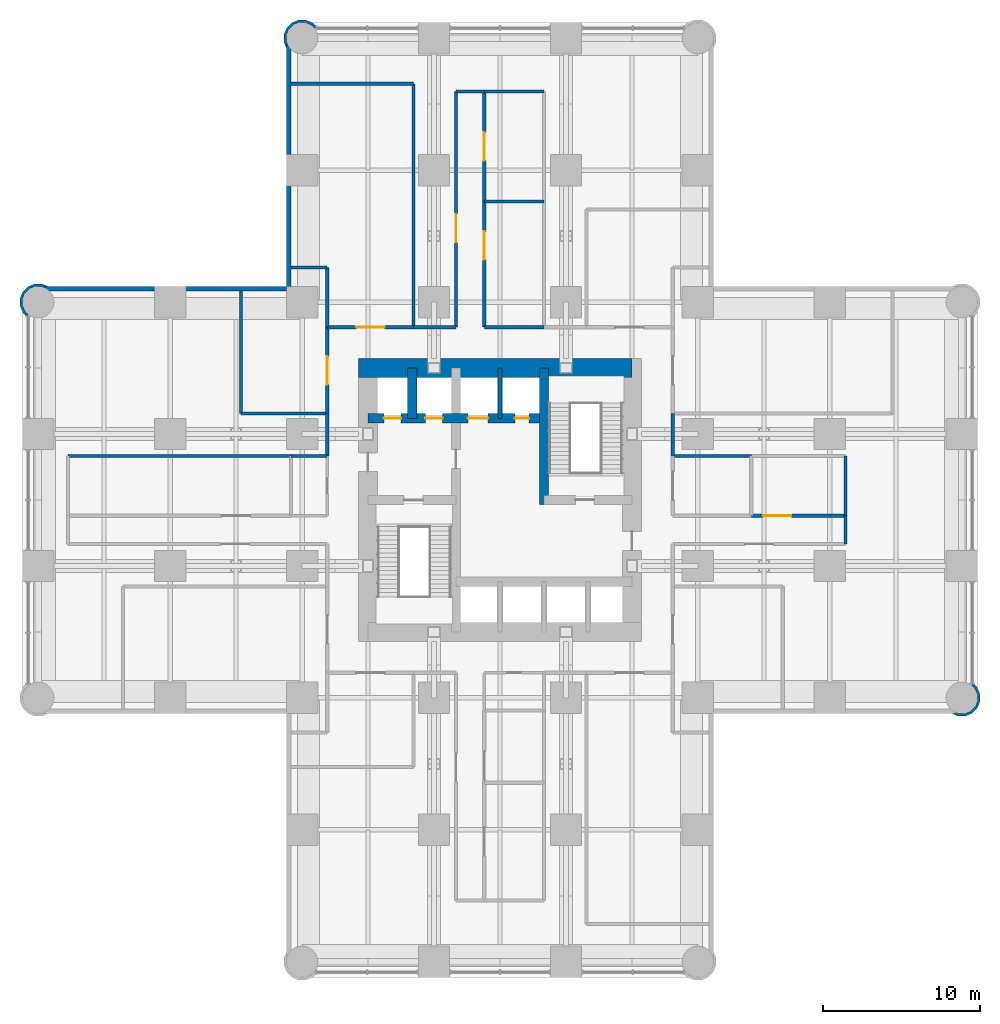
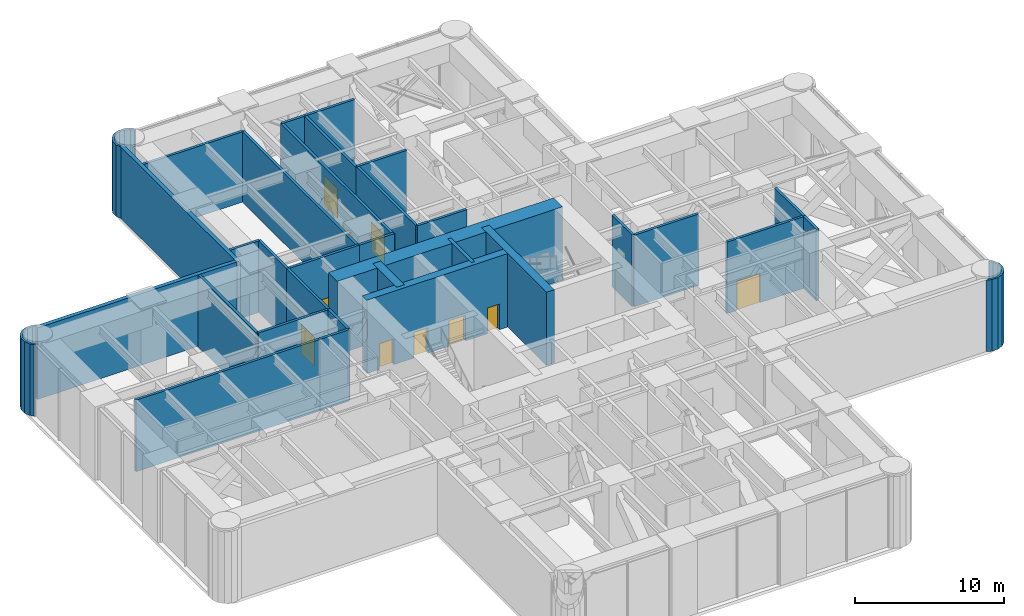
# One storey, part 9 of 12: 34 walls, 10 doors, 10 openings.
"""IFC4 building model written with IfcOpenShell, lengths in metres."""

import ifcopenshell
import ifcopenshell.guid

model = None  # the IFC model being written
_history = None  # IfcOwnerHistory: only IFC2X3 demands one
_inside = {}  # id of a spatial element -> (the spatial element, [elements in it])
_under = {}  # id of a project, library or spatial element -> (it, [spatial elements below it])
_declared = {}  # id of a project -> (the project, [libraries it declares])
_typed = {}  # id of a type object -> (the type object, [elements of that type])
_made_of = {}  # id of a material, layer set ... -> (it, [elements and type objects made of it])


def new_model(schema):
    """Start an empty IFC model of exactly this schema.

    Asked for "IFC4X3", IfcOpenShell would pick the latest addendum, in which some entities
    have other attributes; the version numbers below select the first issue.
    IFC2X3 requires an IfcOwnerHistory on every rooted entity: one is made here for all.
    """
    global model, _history
    if schema == "IFC4X3":
        model = ifcopenshell.file(schema_version=(4, 3, 0, 0))
    else:
        model = ifcopenshell.file(schema=schema)
    _inside.clear()
    _under.clear()
    _declared.clear()
    _typed.clear()
    _made_of.clear()
    _history = None
    if model.schema == "IFC2X3":
        org = make("IfcOrganization", Name="unknown")
        user = make(
            "IfcPersonAndOrganization",
            ThePerson=make("IfcPerson", FamilyName="unknown"),
            TheOrganization=org,
        )
        app = make(
            "IfcApplication",
            ApplicationDeveloper=org,
            Version="unknown",
            ApplicationFullName="unknown",
            ApplicationIdentifier="unknown",
        )
        _history = make(
            "IfcOwnerHistory",
            OwningUser=user,
            OwningApplication=app,
            ChangeAction="ADDED",
            CreationDate=0,
        )
    return model


def make(cls, **values):
    """One entity of the class cls with the attributes given. An attribute that is None is left unset."""
    return model.create_entity(
        cls, **{name: value for name, value in values.items() if value is not None}
    )


def rooted(cls, **values):
    """An entity with a GlobalId (a new one), such as an element, a storey or a relation."""
    return make(cls, GlobalId=ifcopenshell.guid.new(), OwnerHistory=_history, **values)


def si_unit(unit_type, name, prefix=None):
    """IfcSIUnit, for example si_unit("LENGTHUNIT", "METRE", prefix="MILLI")."""
    return make("IfcSIUnit", UnitType=unit_type, Prefix=prefix, Name=name)


def assignment(units):
    """IfcUnitAssignment: the units of a project."""
    return None if units is None else make("IfcUnitAssignment", Units=units)


def point(xyz):
    """IfcCartesianPoint."""
    return None if xyz is None else make("IfcCartesianPoint", Coordinates=xyz)


def direction(xyz):
    """IfcDirection."""
    return None if xyz is None else make("IfcDirection", DirectionRatios=xyz)


def frame(location, z_axis=None, x_axis=None):
    """IfcAxis2Placement3D, a coordinate frame: its origin and axes. An axis left out is left unset."""
    return make(
        "IfcAxis2Placement3D",
        Location=point(location),
        Axis=direction(z_axis),
        RefDirection=direction(x_axis),
    )


def frame_2d(location, x_axis=None):
    """IfcAxis2Placement2D, a coordinate frame in the plane: its origin and x axis."""
    return make(
        "IfcAxis2Placement2D", Location=point(location), RefDirection=direction(x_axis)
    )


def origin():
    """The frame at (0, 0, 0) with its axes left unset."""
    return frame((0.0, 0.0, 0.0))


def place(relative_to, where):
    """IfcLocalPlacement: puts the frame where relative to a parent placement (None: the world)."""
    return make(
        "IfcLocalPlacement", PlacementRelTo=relative_to, RelativePlacement=where
    )


def context(
    kind, dimensions, precision=None, world=None, true_north=None, identifier=None
):
    """IfcGeometricRepresentationContext, for example the 3D "Model" context."""
    return make(
        "IfcGeometricRepresentationContext",
        ContextIdentifier=identifier,
        ContextType=kind,
        CoordinateSpaceDimension=dimensions,
        Precision=precision,
        WorldCoordinateSystem=world,
        TrueNorth=true_north,
    )


def subcontext(parent, identifier, kind, view, scale=None):
    """IfcGeometricRepresentationSubContext, for example "Body" below "Model"."""
    return make(
        "IfcGeometricRepresentationSubContext",
        ContextIdentifier=identifier,
        ContextType=kind,
        ParentContext=parent,
        TargetScale=scale,
        TargetView=view,
    )


def project(units=None, contexts=None):
    """IfcProject with its units and contexts."""
    return rooted(
        "IfcProject",
        Name="project",
        RepresentationContexts=contexts,
        UnitsInContext=assignment(units),
    )


def spatial(cls, under=None, at=None, **own):
    """A site, building, storey or space (cls), placed at a placement, below another one or the project."""
    s = rooted(cls, ObjectPlacement=at, **own)
    if under is not None:
        _under.setdefault(under.id(), (under, []))[1].append(s)
    return s


def polyline(points):
    """IfcPolyline through the points."""
    return make("IfcPolyline", Points=[point(p) for p in points])


def profile(cls, at=None, kind="AREA", **sizes):
    """A parametric profile (cls). Its sizes go by their IFC names, for example OverallWidth=200.0."""
    return make(cls, ProfileType=kind, Position=at, **sizes)


def rectangle(**sizes):
    """IfcRectangleProfileDef."""
    return profile("IfcRectangleProfileDef", **sizes)


def outline(outer, holes=None, kind="AREA"):
    """IfcArbitraryClosedProfileDef: a profile drawn as a closed curve; with holes, ...WithVoids."""
    if holes is None:
        return make("IfcArbitraryClosedProfileDef", ProfileType=kind, OuterCurve=outer)
    return make(
        "IfcArbitraryProfileDefWithVoids",
        ProfileType=kind,
        OuterCurve=outer,
        InnerCurves=holes,
    )


def extrude(swept, where, along, depth):
    """IfcExtrudedAreaSolid: the profile swept, set in the frame where, extruded along a direction by depth."""
    return make(
        "IfcExtrudedAreaSolid",
        SweptArea=swept,
        Position=where,
        ExtrudedDirection=direction(along),
        Depth=depth,
    )


def shape(context_of_items, identifier, shape_type, items):
    """IfcShapeRepresentation: the items that make up one representation, for example the "Body"."""
    return make(
        "IfcShapeRepresentation",
        ContextOfItems=context_of_items,
        RepresentationIdentifier=identifier,
        RepresentationType=shape_type,
        Items=items,
    )


def material(Name=None, Category=None):
    """IfcMaterial."""
    return make("IfcMaterial", Name=Name, Category=Category)


def layer(
    of_material, thickness, ventilated=None, Name=None, Category=None, Priority=None
):
    """IfcMaterialLayer: one layer of a wall or slab, of a material (None: an air gap)."""
    return make(
        "IfcMaterialLayer",
        Material=of_material,
        LayerThickness=thickness,
        IsVentilated=ventilated,
        Name=Name,
        Category=Category,
        Priority=Priority,
    )


def layer_set(layers, Name=None):
    """IfcMaterialLayerSet."""
    return make("IfcMaterialLayerSet", MaterialLayers=layers, LayerSetName=Name)


def made_of(thing, what):
    """Note that an element or type object is made of a material, layer set ...; save() writes the relation."""
    if what is not None:
        _made_of.setdefault(what.id(), (what, []))[1].append(thing)
    return thing


def type_object(cls, material=None, **own):
    """A type object (cls), such as IfcWallType, which elements share."""
    return made_of(rooted(cls, **own), material)


def element(
    cls,
    number,
    at=None,
    inside=None,
    cuts=None,
    type_object=None,
    material=None,
    context=None,
    identifier="Body",
    shape_type=None,
    held_by="IfcProductDefinitionShape",
    body=None,
    shapes=None,
    **own,
):
    """One element of the class cls, such as IfcWall. Its Tag is "e" and its number.

    at: its placement. inside: the storey or other place that contains it. cuts: it is an
    opening in that element (IfcRelVoidsElement). A single representation is given by context,
    identifier, shape_type and body (its items); several are given by shapes. held_by: the class
    of the entity that holds the representations. save() writes the other relations.
    """
    e = rooted(cls, Tag="e%d" % number, ObjectPlacement=at, **own)
    if body is not None:
        shapes = [shape(context, identifier, shape_type, body)]
    if shapes is not None:
        e.Representation = make(held_by, Representations=shapes)
    if inside is not None:
        _inside.setdefault(inside.id(), (inside, []))[1].append(e)
    if cuts is not None:
        rooted(
            "IfcRelVoidsElement", RelatingBuildingElement=cuts, RelatedOpeningElement=e
        )
    if type_object is not None:
        _typed.setdefault(type_object.id(), (type_object, []))[1].append(e)
    return made_of(e, material)


def fill(opening, filler):
    """IfcRelFillsElement: the door or window that sits in an opening."""
    return rooted(
        "IfcRelFillsElement",
        RelatingOpeningElement=opening,
        RelatedBuildingElement=filler,
    )


def aggregate(whole, parts):
    """IfcRelAggregates: a whole, such as a stair, and the parts it consists of."""
    return rooted("IfcRelAggregates", RelatingObject=whole, RelatedObjects=parts)


def save(model, path):
    """Write the relations noted so far, then the file.

    IfcRelAggregates (storeys below a building ...), IfcRelContainedInSpatialStructure (elements
    in a storey), IfcRelDefinesByType, IfcRelAssociatesMaterial and IfcRelDeclares: one each for
    every whole, place, type object, material and project.
    """
    for whole, parts in _under.values():
        aggregate(whole, parts)
    for where, things in _inside.values():
        rooted(
            "IfcRelContainedInSpatialStructure",
            RelatedElements=things,
            RelatingStructure=where,
        )
    for kind, things in _typed.values():
        rooted("IfcRelDefinesByType", RelatedObjects=things, RelatingType=kind)
    for what, things in _made_of.values():
        rooted("IfcRelAssociatesMaterial", RelatedObjects=things, RelatingMaterial=what)
    for by, libraries in _declared.values():
        rooted("IfcRelDeclares", RelatingContext=by, RelatedDefinitions=libraries)
    model.write(path)


model = new_model("IFC4")

# Units and contexts
model_context = context("Model", 3, precision=1e-05, world=origin(), true_north=direction((0.0, 1.0)))
body_context = subcontext(model_context, "Body", "Model", "MODEL_VIEW")
ifc_project = project(units=[si_unit("LENGTHUNIT", "METRE"), si_unit("AREAUNIT", "SQUARE_METRE"), si_unit("VOLUMEUNIT", "CUBIC_METRE"), si_unit("PLANEANGLEUNIT", "RADIAN"), si_unit("MASSUNIT", "GRAM", prefix="KILO")], contexts=[model_context])

# Site, building, storey
site_placement = place(None, origin())
site = spatial("IfcSite", under=ifc_project, at=site_placement, CompositionType="ELEMENT")
building_placement = place(site_placement, origin())
building = spatial("IfcBuilding", under=site, at=building_placement, Name="Torre Alcanfor", CompositionType="ELEMENT")
storey_placement = place(building_placement, frame((0.0, 0.0, 102.89990234375)))
storey = spatial("IfcBuildingStorey", under=building, at=storey_placement, Name="L26", CompositionType="ELEMENT", Elevation=102.89990234375)

# Wall, openings, doors
ifc_material_1 = material(Name="Concrete f'c 70 MPa", Category="concrete")
ifc_layer_1 = layer(ifc_material_1, 0.60009765625)
ifc_layer_set_1 = layer_set([ifc_layer_1], Name="Core inner wall 600 f'c70")
wall_type_1 = type_object("IfcWallType", Name="Core inner wall 600 f'c70", PredefinedType="SHEAR", material=ifc_layer_set_1)
wall_1_placement = place(storey_placement, frame((21.0, 34.60009765625, 0.0), z_axis=(0.0, 0.0, 1.0), x_axis=(1.0, 0.0, 0.0)))
wall_1 = element("IfcWall", 1, at=wall_1_placement, inside=storey, type_object=wall_type_1, Name="Core wall Y346 L26", PredefinedType="SHEAR", context=body_context, shape_type="SweptSolid", body=[
    extrude(rectangle(XDim=11.199951171875, YDim=0.60009765625, at=frame_2d((5.60009765625, 0.0))), origin(), (0.0, 0.0, 1.0), 6.0),
])
opening_1_placement = place(wall_1_placement, frame((9.35009765625, 0.0, 0.0)))
opening_1 = element("IfcOpeningElement", 2, at=opening_1_placement, cuts=wall_1, Name="Opening D-Q1", PredefinedType="OPENING", context=body_context, shape_type="SweptSolid", body=[
    extrude(rectangle(XDim=0.89990234375, YDim=2.10009765625, at=frame_2d((0.449951171875, 1.050048828125))), frame((0.0, 0.31005859375, 0.0), z_axis=(0.0, -1.0, 0.0), x_axis=(1.0, 0.0, 0.0)), (0.0, 0.0, 1.0), 0.6201171875),
])
opening_2_placement = place(wall_1_placement, frame((1.0, 0.0, 0.0)))
opening_2 = element("IfcOpeningElement", 3, at=opening_2_placement, cuts=wall_1, Name="Opening LD2", PredefinedType="OPENING", context=body_context, shape_type="SweptSolid", body=[
    extrude(rectangle(XDim=1.10009765625, YDim=2.10009765625, at=frame_2d((0.550048828125, 1.050048828125))), frame((0.0, 0.31005859375, 0.0), z_axis=(0.0, -1.0, 0.0), x_axis=(1.0, 0.0, 0.0)), (0.0, 0.0, 1.0), 0.6201171875),
])
opening_3_placement = place(wall_1_placement, frame((3.64990234375, 0.0, 0.0)))
opening_3 = element("IfcOpeningElement", 4, at=opening_3_placement, cuts=wall_1, Name="Opening LD2", PredefinedType="OPENING", context=body_context, shape_type="SweptSolid", body=[
    extrude(rectangle(XDim=1.10009765625, YDim=2.10009765625, at=frame_2d((0.550048828125, 1.050048828125))), frame((0.0, 0.31005859375, 0.0), z_axis=(0.0, -1.0, 0.0), x_axis=(1.0, 0.0, 0.0)), (0.0, 0.0, 1.0), 0.6201171875),
])
opening_4_placement = place(wall_1_placement, frame((6.35009765625, 0.0, 0.0)))
opening_4 = element("IfcOpeningElement", 5, at=opening_4_placement, cuts=wall_1, Name="Opening LD3", PredefinedType="OPENING", context=body_context, shape_type="SweptSolid", body=[
    extrude(rectangle(XDim=1.300048828125, YDim=2.10009765625, at=frame_2d((0.64990234375, 1.050048828125))), frame((0.0, 0.31005859375, 0.0), z_axis=(0.0, -1.0, 0.0), x_axis=(1.0, 0.0, 0.0)), (0.0, 0.0, 1.0), 0.6201171875),
])
ifc_material_2 = material(Name="Galvanised steel sheet ASTM A653", Category="steel")
door_type_1 = type_object("IfcDoorType", Name="Firefighting lift landing door 1100x2100", OperationType="DOUBLE_DOOR_SLIDING", PredefinedType="DOOR", material=ifc_material_2)
door_1_placement = place(opening_2_placement, origin())
door_1 = element("IfcDoor", 6, at=door_1_placement, inside=storey, type_object=door_type_1, Name="Lift landing door FL1 L26", OperationType="DOUBLE_DOOR_SLIDING", OverallHeight=2.10009765625, OverallWidth=1.10009765625, PredefinedType="DOOR", context=body_context, shape_type="SweptSolid", body=[
    extrude(rectangle(XDim=1.10009765625, YDim=2.10009765625, at=frame_2d((0.550048828125, 1.050048828125))), frame((0.0, 0.02490234375, 0.0), z_axis=(0.0, -1.0, 0.0), x_axis=(1.0, 0.0, 0.0)), (0.0, 0.0, 1.0), 0.050048828125),
])
fill(opening_2, door_1)
door_2_placement = place(opening_3_placement, origin())
door_2 = element("IfcDoor", 7, at=door_2_placement, inside=storey, type_object=door_type_1, Name="Lift landing door FL2 L26", OperationType="DOUBLE_DOOR_SLIDING", OverallHeight=2.10009765625, OverallWidth=1.10009765625, PredefinedType="DOOR", context=body_context, shape_type="SweptSolid", body=[
    extrude(rectangle(XDim=1.10009765625, YDim=2.10009765625, at=frame_2d((0.550048828125, 1.050048828125))), frame((0.0, 0.02490234375, 0.0), z_axis=(0.0, -1.0, 0.0), x_axis=(1.0, 0.0, 0.0)), (0.0, 0.0, 1.0), 0.050048828125),
])
fill(opening_3, door_2)
ifc_material_3 = material(Name="Galvanised steel sheet ASTM A653", Category="steel")
door_type_2 = type_object("IfcDoorType", Name="Riser access door FD120 900x2100", OperationType="SINGLE_SWING_LEFT", PredefinedType="DOOR", material=ifc_material_3)
door_3_placement = place(opening_1_placement, origin())
door_3 = element("IfcDoor", 8, at=door_3_placement, inside=storey, type_object=door_type_2, Name="Riser door L26", OperationType="SINGLE_SWING_LEFT", OverallHeight=2.10009765625, OverallWidth=0.89990234375, PredefinedType="DOOR", context=body_context, shape_type="SweptSolid", body=[
    extrude(rectangle(XDim=0.89990234375, YDim=2.10009765625, at=frame_2d((0.449951171875, 1.050048828125))), frame((0.0, 0.02490234375, 0.0), z_axis=(0.0, -1.0, 0.0), x_axis=(1.0, 0.0, 0.0)), (0.0, 0.0, 1.0), 0.050048828125),
])
fill(opening_1, door_3)
ifc_material_4 = material(Name="Galvanised steel sheet ASTM A653", Category="steel")
door_type_3 = type_object("IfcDoorType", Name="Service lift landing door 1300x2100", OperationType="DOUBLE_DOOR_SLIDING", PredefinedType="DOOR", material=ifc_material_4)
door_4_placement = place(opening_4_placement, origin())
door_4 = element("IfcDoor", 9, at=door_4_placement, inside=storey, type_object=door_type_3, Name="Lift landing door SL1 L26", OperationType="DOUBLE_DOOR_SLIDING", OverallHeight=2.10009765625, OverallWidth=1.300048828125, PredefinedType="DOOR", context=body_context, shape_type="SweptSolid", body=[
    extrude(rectangle(XDim=1.300048828125, YDim=2.10009765625, at=frame_2d((0.64990234375, 1.050048828125))), frame((0.0, 0.02490234375, 0.0), z_axis=(0.0, -1.0, 0.0), x_axis=(1.0, 0.0, 0.0)), (0.0, 0.0, 1.0), 0.050048828125),
])
fill(opening_4, door_4)

# Walls
wall_2_placement = place(storey_placement, frame((23.800048828125, 34.60009765625, 0.0), z_axis=(0.0, 0.0, 1.0), x_axis=(0.0, 1.0, 0.0)))
element("IfcWall", 10, at=wall_2_placement, inside=storey, type_object=wall_type_1, Name="Core wall X238 L26", PredefinedType="SHEAR", context=body_context, shape_type="SweptSolid", body=[
    extrude(rectangle(XDim=3.199951171875, YDim=0.60009765625, at=frame_2d((1.60009765625, 0.0))), origin(), (0.0, 0.0, 1.0), 6.0),
])
wall_3_placement = place(storey_placement, frame((32.199951171875, 29.10009765625, 0.0), z_axis=(0.0, 0.0, 1.0), x_axis=(0.0, 1.0, 0.0)))
element("IfcWall", 11, at=wall_3_placement, inside=storey, type_object=wall_type_1, Name="Core wall X322N L26", PredefinedType="SHEAR", context=body_context, shape_type="SweptSolid", body=[
    extrude(rectangle(XDim=8.699951171875, YDim=0.60009765625, at=frame_2d((4.35009765625, 0.0))), origin(), (0.0, 0.0, 1.0), 6.0),
])
ifc_material_5 = material(Name="Concrete f'c 70 MPa", Category="concrete")
ifc_layer_2 = layer(ifc_material_5, 0.25)
ifc_layer_set_2 = layer_set([ifc_layer_2], Name="Core shaft wall 250 f'c70")
wall_type_2 = type_object("IfcWallType", Name="Core shaft wall 250 f'c70", PredefinedType="SHEAR", material=ifc_layer_set_2)
wall_4_placement = place(storey_placement, frame((29.39990234375, 34.60009765625, 0.0), z_axis=(0.0, 0.0, 1.0), x_axis=(0.0, 1.0, 0.0)))
element("IfcWall", 12, at=wall_4_placement, inside=storey, type_object=wall_type_2, Name="Core wall X294N L26", PredefinedType="SHEAR", context=body_context, shape_type="SweptSolid", body=[
    extrude(rectangle(XDim=3.199951171875, YDim=0.25, at=frame_2d((1.60009765625, 0.0))), origin(), (0.0, 0.0, 1.0), 6.0),
])
ifc_material_6 = material(Name="Concrete f'c 70 MPa", Category="concrete")
ifc_layer_3 = layer(ifc_material_6, 1.199951171875)
ifc_layer_set_3 = layer_set([ifc_layer_3], Name="Core wall 1200 f'c70")
wall_type_3 = type_object("IfcWallType", Name="Core wall 1200 f'c70", PredefinedType="SHEAR", material=ifc_layer_set_3)
wall_5_placement = place(storey_placement, frame((37.800048828125, 37.800048828125, 0.0), z_axis=(0.0, 0.0, 1.0), x_axis=(-1.0, 0.0, 0.0)))
element("IfcWall", 13, at=wall_5_placement, inside=storey, type_object=wall_type_3, Name="Core wall OUT-N L26", PredefinedType="SHEAR", context=body_context, shape_type="SweptSolid", body=[
    extrude(rectangle(XDim=17.400146484375, YDim=1.199951171875, at=frame_2d((8.7001953125, 0.0))), origin(), (0.0, 0.0, 1.0), 6.0),
])
ifc_material_7 = material(Name="Limestone cladding", Category="masonry")
ifc_layer_4 = layer(ifc_material_7, 0.0400390625, Name="Facing")
ifc_material_8 = material(Name="Ventilated air cavity")
ifc_layer_5 = layer(ifc_material_8, 0.02001953125, ventilated=True, Name="Ventilated joint")
ifc_material_9 = material(Name="Mineral wool insulation", Category="insulation")
ifc_layer_6 = layer(ifc_material_9, 0.10009765625, Name="Insulation")
ifc_material_10 = material(Name="Concrete f'c 35 MPa", Category="concrete")
ifc_layer_7 = layer(ifc_material_10, 0.139892578125, Name="Backing")
ifc_layer_set_4 = layer_set([ifc_layer_4, ifc_layer_5, ifc_layer_6, ifc_layer_7], Name="External wall stone-clad 300")
wall_type_4 = type_object("IfcWallType", Name="External wall stone-clad 300", PredefinedType="SOLIDWALL", material=ifc_layer_set_4)
wall_6_placement = place(storey_placement, frame((15.800048828125, 42.85009765625, 0.0), z_axis=(0.0, 0.0, 1.0), x_axis=(-1.0, 0.0, 0.0)))
element("IfcWall", 14, at=wall_6_placement, inside=storey, type_object=wall_type_4, Name="External wall L26 1", PredefinedType="SOLIDWALL", context=body_context, shape_type="SweptSolid", body=[
    extrude(rectangle(XDim=15.400146484375, YDim=0.300048828125, at=frame_2d((7.7001953125, 0.0))), origin(), (0.0, 0.0, 1.0), 5.85009765625),
])
wall_7_placement = place(storey_placement, frame((15.949951171875, 58.39990234375, 0.0), z_axis=(0.0, 0.0, 1.0), x_axis=(0.0, -1.0, 0.0)))
element("IfcWall", 15, at=wall_7_placement, inside=storey, type_object=wall_type_4, Name="External wall L26 12", PredefinedType="SOLIDWALL", context=body_context, shape_type="SweptSolid", body=[
    extrude(rectangle(XDim=15.699951171875, YDim=0.300048828125, at=frame_2d((7.85009765625, 0.0))), origin(), (0.0, 0.0, 1.0), 5.85009765625),
])

# Wall, opening, door
ifc_material_11 = material(Name="Concrete block masonry, hollow blocks NMX-C-404 9 MPa", Category="masonry")
ifc_layer_8 = layer(ifc_material_11, 0.199951171875)
ifc_layer_set_5 = layer_set([ifc_layer_8], Name="Plant room wall 200 EI 60")
wall_type_5 = type_object("IfcWallType", Name="Plant room wall 200 EI 60", PredefinedType="PARTITIONING", material=ifc_layer_set_5)
wall_8_placement = place(storey_placement, frame((18.39990234375, 40.39990234375, 0.0), z_axis=(0.0, 0.0, 1.0), x_axis=(1.0, 0.0, 0.0)))
wall_8 = element("IfcWall", 16, at=wall_8_placement, inside=storey, type_object=wall_type_5, Name="Partition L26-CORR / L26-N1", PredefinedType="PARTITIONING", context=body_context, shape_type="SweptSolid", body=[
    extrude(rectangle(XDim=5.5, YDim=0.199951171875, at=frame_2d((2.75, 0.0))), origin(), (0.0, 0.0, 1.0), 5.85009765625),
])
opening_5_placement = place(wall_8_placement, frame((1.85009765625, 0.0, 0.0)))
opening_5 = element("IfcOpeningElement", 17, at=opening_5_placement, cuts=wall_8, Name="Opening D-P1", PredefinedType="OPENING", context=body_context, shape_type="SweptSolid", body=[
    extrude(rectangle(XDim=1.800048828125, YDim=2.39990234375, at=frame_2d((0.89990234375, 1.199951171875))), frame((0.0, 0.10986328125, 0.0), z_axis=(0.0, -1.0, 0.0), x_axis=(1.0, 0.0, 0.0)), (0.0, 0.0, 1.0), 0.219970703125),
])
ifc_material_12 = material(Name="Galvanised steel sheet ASTM A653", Category="steel")
door_type_4 = type_object("IfcDoorType", Name="Plant room door FD60 1800x2400", OperationType="DOUBLE_DOOR_SINGLE_SWING", PredefinedType="DOOR", material=ifc_material_12)
door_5_placement = place(opening_5_placement, origin())
door_5 = element("IfcDoor", 18, at=door_5_placement, inside=storey, type_object=door_type_4, Name="Door L26-N1 chilled water heat exchanger room", OperationType="DOUBLE_DOOR_SINGLE_SWING", OverallHeight=2.39990234375, OverallWidth=1.800048828125, PredefinedType="DOOR", context=body_context, shape_type="SweptSolid", body=[
    extrude(rectangle(XDim=1.800048828125, YDim=2.39990234375, at=frame_2d((0.89990234375, 1.199951171875))), frame((0.0, 0.02490234375, 0.0), z_axis=(0.0, -1.0, 0.0), x_axis=(1.0, 0.0, 0.0)), (0.0, 0.0, 1.0), 0.050048828125),
])
fill(opening_5, door_5)

# Walls
wall_9_placement = place(storey_placement, frame((28.39990234375, 40.39990234375, 0.0), z_axis=(0.0, 0.0, 1.0), x_axis=(1.0, 0.0, 0.0)))
element("IfcWall", 19, at=wall_9_placement, inside=storey, type_object=wall_type_5, Name="Partition L26-CORR / L26-N3", PredefinedType="PARTITIONING", context=body_context, shape_type="SweptSolid", body=[
    extrude(rectangle(XDim=3.800048828125, YDim=0.199951171875, at=frame_2d((1.89990234375, 0.0))), origin(), (0.0, 0.0, 1.0), 5.85009765625),
])
wall_10_placement = place(storey_placement, frame((23.89990234375, 40.39990234375, 0.0), z_axis=(0.0, 0.0, 1.0), x_axis=(1.0, 0.0, 0.0)))
element("IfcWall", 20, at=wall_10_placement, inside=storey, type_object=wall_type_5, Name="Partition L26-CORR / L26-NH", PredefinedType="PARTITIONING", context=body_context, shape_type="SweptSolid", body=[
    extrude(rectangle(XDim=2.7001953125, YDim=0.199951171875, at=frame_2d((1.35009765625, 0.0))), origin(), (0.0, 0.0, 1.0), 5.85009765625),
])
wall_11_placement = place(storey_placement, frame((40.39990234375, 34.89990234375, 0.0), z_axis=(0.0, 0.0, 1.0), x_axis=(0.0, -1.0, 0.0)))
element("IfcWall", 21, at=wall_11_placement, inside=storey, type_object=wall_type_5, Name="Partition L26-CORR / L26-EH", PredefinedType="PARTITIONING", context=body_context, shape_type="SweptSolid", body=[
    extrude(rectangle(XDim=2.699951171875, YDim=0.199951171875, at=frame_2d((1.35009765625, 0.0))), origin(), (0.0, 0.0, 1.0), 5.85009765625),
])

# Wall, opening, door
wall_12_placement = place(storey_placement, frame((18.39990234375, 34.89990234375, 0.0), z_axis=(0.0, 0.0, 1.0), x_axis=(0.0, 1.0, 0.0)))
wall_12 = element("IfcWall", 22, at=wall_12_placement, inside=storey, type_object=wall_type_5, Name="Partition L26-CORR / L26-W2", PredefinedType="PARTITIONING", context=body_context, shape_type="SweptSolid", body=[
    extrude(rectangle(XDim=5.5, YDim=0.199951171875, at=frame_2d((2.75, 0.0))), origin(), (0.0, 0.0, 1.0), 5.85009765625),
])
opening_6_placement = place(wall_12_placement, frame((1.85009765625, 0.0, 0.0)))
opening_6 = element("IfcOpeningElement", 23, at=opening_6_placement, cuts=wall_12, Name="Opening D-P1", PredefinedType="OPENING", context=body_context, shape_type="SweptSolid", body=[
    extrude(rectangle(XDim=1.800048828125, YDim=2.39990234375, at=frame_2d((0.89990234375, 1.199951171875))), frame((0.0, 0.10986328125, 0.0), z_axis=(0.0, -1.0, 0.0), x_axis=(1.0, 0.0, 0.0)), (0.0, 0.0, 1.0), 0.219970703125),
])
door_6_placement = place(opening_6_placement, origin())
door_6 = element("IfcDoor", 24, at=door_6_placement, inside=storey, type_object=door_type_4, Name="Door L26-W2 booster pump room", OperationType="DOUBLE_DOOR_SINGLE_SWING", OverallHeight=2.39990234375, OverallWidth=1.800048828125, PredefinedType="DOOR", context=body_context, shape_type="SweptSolid", body=[
    extrude(rectangle(XDim=1.800048828125, YDim=2.39990234375, at=frame_2d((0.89990234375, 1.199951171875))), frame((0.0, 0.02490234375, 0.0), z_axis=(0.0, -1.0, 0.0), x_axis=(1.0, 0.0, 0.0)), (0.0, 0.0, 1.0), 0.050048828125),
])
fill(opening_6, door_6)

# Walls
wall_13_placement = place(storey_placement, frame((18.39990234375, 32.199951171875, 0.0), z_axis=(0.0, 0.0, 1.0), x_axis=(0.0, 1.0, 0.0)))
element("IfcWall", 25, at=wall_13_placement, inside=storey, type_object=wall_type_5, Name="Partition L26-CORR / L26-WH", PredefinedType="PARTITIONING", context=body_context, shape_type="SweptSolid", body=[
    extrude(rectangle(XDim=2.699951171875, YDim=0.199951171875, at=frame_2d((1.35009765625, 0.0))), origin(), (0.0, 0.0, 1.0), 5.85009765625),
])
wall_14_placement = place(storey_placement, frame((16.10009765625, 55.89990234375, 0.0), z_axis=(0.0, 0.0, 1.0), x_axis=(1.0, 0.0, 0.0)))
element("IfcWall", 26, at=wall_14_placement, inside=storey, type_object=wall_type_5, Name="Partition L26-N1 / L26-NH", PredefinedType="PARTITIONING", context=body_context, shape_type="SweptSolid", body=[
    extrude(rectangle(XDim=7.7998046875, YDim=0.199951171875, at=frame_2d((3.89990234375, 0.0))), origin(), (0.0, 0.0, 1.0), 5.75),
])
wall_15_placement = place(storey_placement, frame((23.89990234375, 55.89990234375, 0.0), z_axis=(0.0, 0.0, 1.0), x_axis=(0.0, -1.0, 0.0)))
element("IfcWall", 27, at=wall_15_placement, inside=storey, type_object=wall_type_5, Name="Partition L26-N1 / L26-NH", PredefinedType="PARTITIONING", context=body_context, shape_type="SweptSolid", body=[
    extrude(rectangle(XDim=15.5, YDim=0.199951171875, at=frame_2d((7.75, 0.0))), origin(), (0.0, 0.0, 1.0), 5.75),
])
wall_16_placement = place(storey_placement, frame((18.39990234375, 40.39990234375, 0.0), z_axis=(0.0, 0.0, 1.0), x_axis=(0.0, 1.0, 0.0)))
element("IfcWall", 28, at=wall_16_placement, inside=storey, type_object=wall_type_5, Name="Partition L26-N1 / L26-W2", PredefinedType="PARTITIONING", context=body_context, shape_type="SweptSolid", body=[
    extrude(rectangle(XDim=3.800048828125, YDim=0.199951171875, at=frame_2d((1.89990234375, 0.0))), origin(), (0.0, 0.0, 1.0), 5.85009765625),
])
wall_17_placement = place(storey_placement, frame((18.39990234375, 44.199951171875, 0.0), z_axis=(0.0, 0.0, 1.0), x_axis=(-1.0, 0.0, 0.0)))
element("IfcWall", 29, at=wall_17_placement, inside=storey, type_object=wall_type_5, Name="Partition L26-N1 / L26-W2", PredefinedType="PARTITIONING", context=body_context, shape_type="SweptSolid", body=[
    extrude(rectangle(XDim=2.2998046875, YDim=0.199951171875, at=frame_2d((1.14990234375, 0.0))), origin(), (0.0, 0.0, 1.0), 5.85009765625),
])

# Wall, opening, door
wall_18_placement = place(storey_placement, frame((28.39990234375, 48.39990234375, 0.0), z_axis=(0.0, 0.0, 1.0), x_axis=(0.0, -1.0, 0.0)))
wall_18 = element("IfcWall", 30, at=wall_18_placement, inside=storey, type_object=wall_type_5, Name="Partition L26-NC / L26-N3", PredefinedType="PARTITIONING", context=body_context, shape_type="SweptSolid", body=[
    extrude(rectangle(XDim=8.0, YDim=0.199951171875, at=frame_2d((4.0, 0.0))), origin(), (0.0, 0.0, 1.0), 5.85009765625),
])
opening_7_placement = place(wall_18_placement, frame((1.89990234375, 0.0, 0.0)))
opening_7 = element("IfcOpeningElement", 31, at=opening_7_placement, cuts=wall_18, Name="Opening D-P1", PredefinedType="OPENING", context=body_context, shape_type="SweptSolid", body=[
    extrude(rectangle(XDim=1.800048828125, YDim=2.39990234375, at=frame_2d((0.89990234375, 1.199951171875))), frame((0.0, 0.10986328125, 0.0), z_axis=(0.0, -1.0, 0.0), x_axis=(1.0, 0.0, 0.0)), (0.0, 0.0, 1.0), 0.219970703125),
])
door_7_placement = place(opening_7_placement, origin())
door_7 = element("IfcDoor", 32, at=door_7_placement, inside=storey, type_object=door_type_4, Name="Door L26-N3 lv switch room", OperationType="DOUBLE_DOOR_SINGLE_SWING", OverallHeight=2.39990234375, OverallWidth=1.800048828125, PredefinedType="DOOR", context=body_context, shape_type="SweptSolid", body=[
    extrude(rectangle(XDim=1.800048828125, YDim=2.39990234375, at=frame_2d((0.89990234375, 1.199951171875))), frame((0.0, 0.02490234375, 0.0), z_axis=(0.0, -1.0, 0.0), x_axis=(1.0, 0.0, 0.0)), (0.0, 0.0, 1.0), 0.050048828125),
])
fill(opening_7, door_7)

wall_19_placement = place(storey_placement, frame((28.39990234375, 55.39990234375, 0.0), z_axis=(0.0, 0.0, 1.0), x_axis=(0.0, -1.0, 0.0)))
wall_19 = element("IfcWall", 33, at=wall_19_placement, inside=storey, type_object=wall_type_5, Name="Partition L26-NC / L26-N4", PredefinedType="PARTITIONING", context=body_context, shape_type="SweptSolid", body=[
    extrude(rectangle(XDim=7.0, YDim=0.199951171875, at=frame_2d((3.5, 0.0))), origin(), (0.0, 0.0, 1.0), 5.75),
])
opening_8_placement = place(wall_19_placement, frame((2.60009765625, 0.0, 0.0)))
opening_8 = element("IfcOpeningElement", 34, at=opening_8_placement, cuts=wall_19, Name="Opening D-P1", PredefinedType="OPENING", context=body_context, shape_type="SweptSolid", body=[
    extrude(rectangle(XDim=1.800048828125, YDim=2.39990234375, at=frame_2d((0.89990234375, 1.199951171875))), frame((0.0, 0.10986328125, 0.0), z_axis=(0.0, -1.0, 0.0), x_axis=(1.0, 0.0, 0.0)), (0.0, 0.0, 1.0), 0.219970703125),
])
door_8_placement = place(opening_8_placement, origin())
door_8 = element("IfcDoor", 35, at=door_8_placement, inside=storey, type_object=door_type_4, Name="Door L26-N4 plant store", OperationType="DOUBLE_DOOR_SINGLE_SWING", OverallHeight=2.39990234375, OverallWidth=1.800048828125, PredefinedType="DOOR", context=body_context, shape_type="SweptSolid", body=[
    extrude(rectangle(XDim=1.800048828125, YDim=2.39990234375, at=frame_2d((0.89990234375, 1.199951171875))), frame((0.0, 0.02490234375, 0.0), z_axis=(0.0, -1.0, 0.0), x_axis=(1.0, 0.0, 0.0)), (0.0, 0.0, 1.0), 0.050048828125),
])
fill(opening_8, door_8)

wall_20_placement = place(storey_placement, frame((26.60009765625, 40.39990234375, 0.0), z_axis=(0.0, 0.0, 1.0), x_axis=(0.0, 1.0, 0.0)))
wall_20 = element("IfcWall", 36, at=wall_20_placement, inside=storey, type_object=wall_type_5, Name="Partition L26-NC / L26-NH", PredefinedType="PARTITIONING", context=body_context, shape_type="SweptSolid", body=[
    extrude(rectangle(XDim=15.0, YDim=0.199951171875, at=frame_2d((7.5, 0.0))), origin(), (0.0, 0.0, 1.0), 5.75),
])
opening_9_placement = place(wall_20_placement, frame((5.39990234375, 0.0, 0.0)))
opening_9 = element("IfcOpeningElement", 37, at=opening_9_placement, cuts=wall_20, Name="Opening D-P1", PredefinedType="OPENING", context=body_context, shape_type="SweptSolid", body=[
    extrude(rectangle(XDim=1.800048828125, YDim=2.39990234375, at=frame_2d((0.89990234375, 1.199951171875))), frame((0.0, 0.10986328125, 0.0), z_axis=(0.0, -1.0, 0.0), x_axis=(1.0, 0.0, 0.0)), (0.0, 0.0, 1.0), 0.219970703125),
])
door_9_placement = place(opening_9_placement, origin())
door_9 = element("IfcDoor", 38, at=door_9_placement, inside=storey, type_object=door_type_4, Name="Door L26-NH air handling plant room", OperationType="DOUBLE_DOOR_SINGLE_SWING", OverallHeight=2.39990234375, OverallWidth=1.800048828125, PredefinedType="DOOR", context=body_context, shape_type="SweptSolid", body=[
    extrude(rectangle(XDim=1.800048828125, YDim=2.39990234375, at=frame_2d((0.89990234375, 1.199951171875))), frame((0.0, 0.02490234375, 0.0), z_axis=(0.0, -1.0, 0.0), x_axis=(1.0, 0.0, 0.0)), (0.0, 0.0, 1.0), 0.050048828125),
])
fill(opening_9, door_9)

# Walls
wall_21_placement = place(storey_placement, frame((26.60009765625, 55.39990234375, 0.0), z_axis=(0.0, 0.0, 1.0), x_axis=(1.0, 0.0, 0.0)))
element("IfcWall", 39, at=wall_21_placement, inside=storey, type_object=wall_type_5, Name="Partition L26-NC / L26-NH", PredefinedType="PARTITIONING", context=body_context, shape_type="SweptSolid", body=[
    extrude(rectangle(XDim=1.7998046875, YDim=0.199951171875, at=frame_2d((0.89990234375, 0.0))), origin(), (0.0, 0.0, 1.0), 5.75),
])
wall_22_placement = place(storey_placement, frame((28.39990234375, 48.39990234375, 0.0), z_axis=(0.0, 0.0, 1.0), x_axis=(1.0, 0.0, 0.0)))
element("IfcWall", 40, at=wall_22_placement, inside=storey, type_object=wall_type_5, Name="Partition L26-N3 / L26-N4", PredefinedType="PARTITIONING", context=body_context, shape_type="SweptSolid", body=[
    extrude(rectangle(XDim=3.800048828125, YDim=0.199951171875, at=frame_2d((1.89990234375, 0.0))), origin(), (0.0, 0.0, 1.0), 5.85009765625),
])
wall_23_placement = place(storey_placement, frame((28.39990234375, 55.39990234375, 0.0), z_axis=(0.0, 0.0, 1.0), x_axis=(1.0, 0.0, 0.0)))
element("IfcWall", 41, at=wall_23_placement, inside=storey, type_object=wall_type_5, Name="Partition L26-N4 / L26-NH", PredefinedType="PARTITIONING", context=body_context, shape_type="SweptSolid", body=[
    extrude(rectangle(XDim=3.800048828125, YDim=0.199951171875, at=frame_2d((1.89990234375, 0.0))), origin(), (0.0, 0.0, 1.0), 5.75),
])

# Wall, opening, door
wall_24_placement = place(storey_placement, frame((45.39990234375, 28.39990234375, 0.0), z_axis=(0.0, 0.0, 1.0), x_axis=(1.0, 0.0, 0.0)))
wall_24 = element("IfcWall", 42, at=wall_24_placement, inside=storey, type_object=wall_type_5, Name="Partition L26-EC / L26-E4", PredefinedType="PARTITIONING", context=body_context, shape_type="SweptSolid", body=[
    extrude(rectangle(XDim=6.0, YDim=0.199951171875, at=frame_2d((3.0, 0.0))), origin(), (0.0, 0.0, 1.0), 5.85009765625),
])
opening_10_placement = place(wall_24_placement, frame((0.75, 0.0, 0.0)))
opening_10 = element("IfcOpeningElement", 43, at=opening_10_placement, cuts=wall_24, Name="Opening D-P1", PredefinedType="OPENING", context=body_context, shape_type="SweptSolid", body=[
    extrude(rectangle(XDim=1.800048828125, YDim=2.39990234375, at=frame_2d((0.89990234375, 1.199951171875))), frame((0.0, 0.10986328125, 0.0), z_axis=(0.0, -1.0, 0.0), x_axis=(1.0, 0.0, 0.0)), (0.0, 0.0, 1.0), 0.219970703125),
])
door_10_placement = place(opening_10_placement, origin())
door_10 = element("IfcDoor", 44, at=door_10_placement, inside=storey, type_object=door_type_4, Name="Door L26-E4 electrical riser room", OperationType="DOUBLE_DOOR_SINGLE_SWING", OverallHeight=2.39990234375, OverallWidth=1.800048828125, PredefinedType="DOOR", context=body_context, shape_type="SweptSolid", body=[
    extrude(rectangle(XDim=1.800048828125, YDim=2.39990234375, at=frame_2d((0.89990234375, 1.199951171875))), frame((0.0, 0.02490234375, 0.0), z_axis=(0.0, -1.0, 0.0), x_axis=(1.0, 0.0, 0.0)), (0.0, 0.0, 1.0), 0.050048828125),
])
fill(opening_10, door_10)

# Walls
wall_25_placement = place(storey_placement, frame((51.39990234375, 28.39990234375, 0.0), z_axis=(0.0, 0.0, 1.0), x_axis=(0.0, -1.0, 0.0)))
element("IfcWall", 45, at=wall_25_placement, inside=storey, type_object=wall_type_5, Name="Partition L26-EC / L26-EH", PredefinedType="PARTITIONING", context=body_context, shape_type="SweptSolid", body=[
    extrude(rectangle(XDim=1.7998046875, YDim=0.199951171875, at=frame_2d((0.89990234375, 0.0))), origin(), (0.0, 0.0, 1.0), 5.85009765625),
])
wall_26_placement = place(storey_placement, frame((40.39990234375, 32.199951171875, 0.0), z_axis=(0.0, 0.0, 1.0), x_axis=(1.0, 0.0, 0.0)))
element("IfcWall", 46, at=wall_26_placement, inside=storey, type_object=wall_type_5, Name="Partition L26-E3 / L26-EH", PredefinedType="PARTITIONING", context=body_context, shape_type="SweptSolid", body=[
    extrude(rectangle(XDim=5.0, YDim=0.199951171875, at=frame_2d((2.5, 0.0))), origin(), (0.0, 0.0, 1.0), 5.85009765625),
])
wall_27_placement = place(storey_placement, frame((51.39990234375, 32.199951171875, 0.0), z_axis=(0.0, 0.0, 1.0), x_axis=(0.0, -1.0, 0.0)))
element("IfcWall", 47, at=wall_27_placement, inside=storey, type_object=wall_type_5, Name="Partition L26-E4 / L26-EH", PredefinedType="PARTITIONING", context=body_context, shape_type="SweptSolid", body=[
    extrude(rectangle(XDim=3.800048828125, YDim=0.199951171875, at=frame_2d((1.89990234375, 0.0))), origin(), (0.0, 0.0, 1.0), 5.85009765625),
])
wall_28_placement = place(storey_placement, frame((18.39990234375, 34.89990234375, 0.0), z_axis=(0.0, 0.0, 1.0), x_axis=(-1.0, 0.0, 0.0)))
element("IfcWall", 48, at=wall_28_placement, inside=storey, type_object=wall_type_5, Name="Partition L26-W2 / L26-WH", PredefinedType="PARTITIONING", context=body_context, shape_type="SweptSolid", body=[
    extrude(rectangle(XDim=5.5, YDim=0.199951171875, at=frame_2d((2.75, 0.0))), origin(), (0.0, 0.0, 1.0), 5.85009765625),
])
wall_29_placement = place(storey_placement, frame((12.89990234375, 34.89990234375, 0.0), z_axis=(0.0, 0.0, 1.0), x_axis=(0.0, 1.0, 0.0)))
element("IfcWall", 49, at=wall_29_placement, inside=storey, type_object=wall_type_5, Name="Partition L26-W2 / L26-WH", PredefinedType="PARTITIONING", context=body_context, shape_type="SweptSolid", body=[
    extrude(rectangle(XDim=7.800048828125, YDim=0.199951171875, at=frame_2d((3.89990234375, 0.0))), origin(), (0.0, 0.0, 1.0), 5.85009765625),
])
wall_30_placement = place(storey_placement, frame((16.10009765625, 32.199951171875, 0.0), z_axis=(0.0, 0.0, 1.0), x_axis=(1.0, 0.0, 0.0)))
element("IfcWall", 50, at=wall_30_placement, inside=storey, type_object=wall_type_5, Name="Partition L26-WW / L26-WH", PredefinedType="PARTITIONING", context=body_context, shape_type="SweptSolid", body=[
    extrude(rectangle(XDim=2.2998046875, YDim=0.199951171875, at=frame_2d((1.14990234375, 0.0))), origin(), (0.0, 0.0, 1.0), 5.85009765625),
])
wall_31_placement = place(storey_placement, frame((1.89990234375, 32.199951171875, 0.0), z_axis=(0.0, 0.0, 1.0), x_axis=(1.0, 0.0, 0.0)))
element("IfcWall", 51, at=wall_31_placement, inside=storey, type_object=wall_type_5, Name="Partition L26-REF / L26-WH", PredefinedType="PARTITIONING", context=body_context, shape_type="SweptSolid", body=[
    extrude(rectangle(XDim=14.2001953125, YDim=0.199951171875, at=frame_2d((7.10009765625, 0.0))), origin(), (0.0, 0.0, 1.0), 5.85009765625),
])
ifc_layer_9 = layer(ifc_material_7, 0.0400390625, Name="Facing")
ifc_layer_10 = layer(ifc_material_8, 0.02001953125, ventilated=True, Name="Ventilated joint")
ifc_layer_11 = layer(ifc_material_9, 0.10009765625, Name="Insulation")
ifc_layer_12 = layer(ifc_material_10, 0.139892578125, Name="Backing")
ifc_layer_set_6 = layer_set([ifc_layer_9, ifc_layer_10, ifc_layer_11, ifc_layer_12], Name="Rounded corner pier stone-clad 300")
wall_type_6 = type_object("IfcWallType", Name="Rounded corner pier stone-clad 300", PredefinedType="SOLIDWALL", material=ifc_layer_set_6)
wall_32_placement = place(storey_placement, frame((0.56710175, 42.919127633, 0.0), z_axis=(0.0, 0.0, 1.0), x_axis=(-0.82944431473, 0.558589409818, 0.0)))
element("IfcWall", 52, at=wall_32_placement, inside=storey, type_object=wall_type_6, Name="Corner pier L26 13", PredefinedType="SOLIDWALL", context=body_context, shape_type="SweptSolid", body=[
    extrude(outline(polyline([(0.003833608220041883, -0.09492012019212602), (0.4135154854990114, -0.01181406057680015), (0.7962424764268774, 0.2459334942466627), (1.0512106478674546, 0.6304514017401088), (1.1396220267413102, 1.0835278396604935), (1.0479206424656917, 1.5356933466961644), (0.7901730876422288, 1.9184203376240303), (0.40565518014878255, 2.1733885090646075), (0.1077836850612599, 2.2315138658560203), (0.00916567205497909, 2.1650995488194984), (0.06835214760703345, 2.0772140916434703), (0.34419674032744707, 2.023386969427076), (0.6759371953026445, 1.8035179884072212), (0.8985001632771903, 1.47303626925681), (0.9775193036079557, 1.0829720774328908), (0.9012091082299232, 0.6919098415614445), (0.6813401272100685, 0.36016938658624686), (0.35085840805965707, 0.1376064186117012), (0.1257902203068728, 0.09199747236431632), (0.18385704469351963, 0.026316692632243538), (0.003833608220041883, -0.09492012019212602)])), origin(), (0.0, 0.0, 1.0), 5.85009765625),
])
wall_33_placement = place(storey_placement, frame((58.23289825, 15.880872367, 0.0), z_axis=(0.0, 0.0, 1.0), x_axis=(0.82944431473, -0.558589409818, 0.0)))
element("IfcWall", 53, at=wall_33_placement, inside=storey, type_object=wall_type_6, Name="Corner pier L26 17", PredefinedType="SOLIDWALL", context=body_context, shape_type="SweptSolid", body=[
    extrude(outline(polyline([(0.06836537294419032, 2.0772818667276756), (0.34420996566460393, 2.0234547445112816), (0.676086795007433, 1.803383262438026), (0.8985133886143472, 1.4731040443410155), (0.9776689033127441, 1.0828373514636955), (0.9012223335670803, 0.69197761664565), (0.6811508514938244, 0.3601007873028209), (0.35087163339681404, 0.13767419369590672), (0.12580344564402976, 0.09206524744852185), (0.18366776897727555, 0.026248093348817586), (0.003846833557198795, -0.09485234510792051), (0.41366508520379974, -0.011948786545995627), (0.7963920761316658, 0.24579876827746722), (1.0512238732046115, 0.6305191768243144), (1.1397716264460984, 1.083393113691298), (1.0479338678028487, 1.5357611217803697), (0.7901863129793858, 1.918488112708236), (0.4056684054859395, 2.1734562841488128), (0.10779691039841666, 2.231581640940226), (0.009178897392135843, 2.165167323903704), (0.06836537294419032, 2.0772818667276756)])), origin(), (0.0, 0.0, 1.0), 5.85009765625),
])
wall_34_placement = place(storey_placement, frame((17.609984852, 59.514370029, 0.0), z_axis=(0.0, 0.0, 1.0), x_axis=(-0.558589409818, 0.82944431473, 0.0)))
element("IfcWall", 54, at=wall_34_placement, inside=storey, type_object=wall_type_6, Name="Corner pier L26 20", PredefinedType="SOLIDWALL", context=body_context, shape_type="SweptSolid", body=[
    extrude(outline(polyline([(0.010751351325252102, -0.08156255599691349), (0.30862284641277493, -0.023437199205500553), (0.6931407539062211, 0.2315309722350765), (0.950888308729684, 0.6142579631629426), (1.042726067372934, 1.0666259712520143), (0.9541783141314467, 1.519499908118998), (0.6993465170585014, 1.9042203166658451), (0.31661952613063515, 2.161967871489308), (-0.09319872551596586, 2.2448714300512327), (0.08662220990411096, 2.123770991594495), (0.028757886570865088, 2.0579538374947903), (0.25382607432364945, 2.0123448912474053), (0.5841052924206598, 1.7899182976404915), (0.8041767744939154, 1.4580414682976623), (0.8806233442395794, 1.067181733479617), (0.8014678295411827, 0.6769150406022969), (0.5790412359342685, 0.34663582250528646), (0.24716440659143935, 0.12656434043203074), (-0.028680186128974307, 0.07273721821563692), (-0.08786666168102875, -0.015148238960391587), (0.010751351325252102, -0.08156255599691349)])), origin(), (0.0, 0.0, 1.0), 5.85009765625),
])

save(model, "model.ifc")
